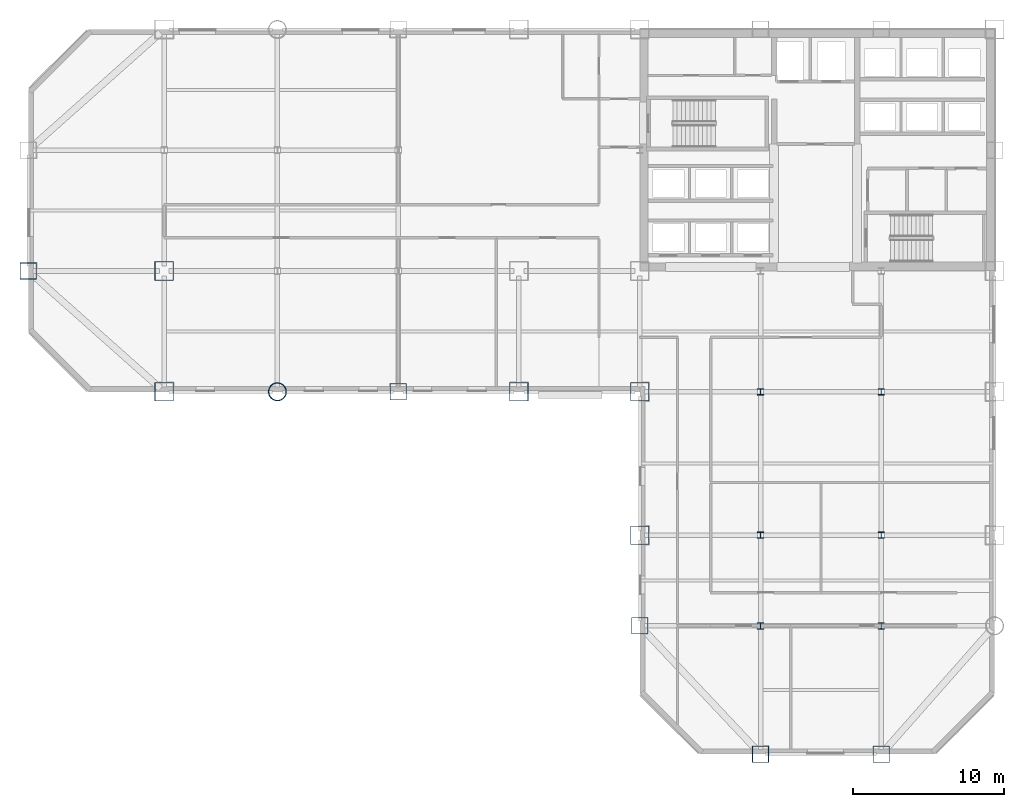
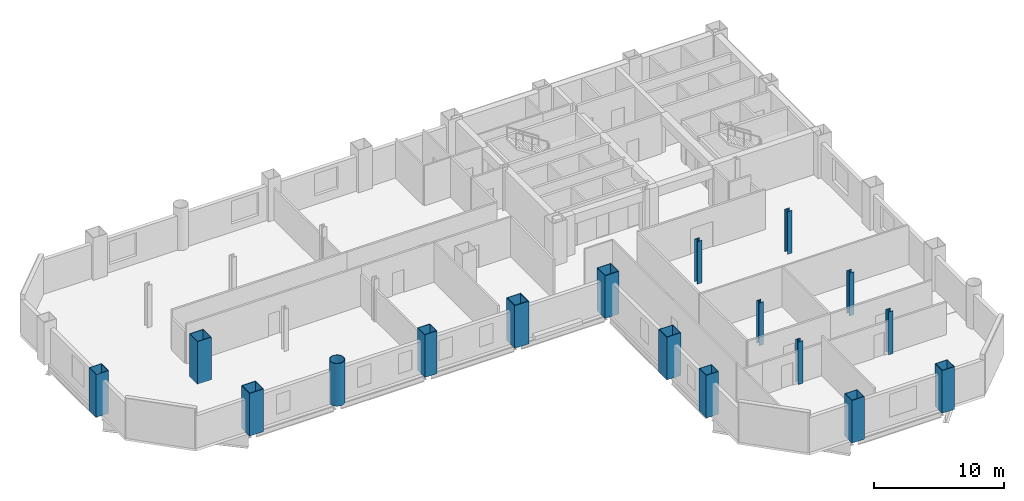
# One storey, part 1 of 9: 17 columns.
"""IFC4 building model written with IfcOpenShell, lengths in metres."""

from ifc_helpers import new_model, si_unit, direction, frame, origin, origin_2d, place, context, subcontext, project, spatial, hollow_rectangle, hollow_circle, i_section, extrude, material, material_profile, profile_set, type_object, element, save


model = new_model("IFC4")

# Units and contexts
model_context = context("Model", 3, precision=1e-05, world=origin(), true_north=direction((0.0, 1.0)))
body_context = subcontext(model_context, "Body", "Model", "MODEL_VIEW")
ifc_project = project(units=[si_unit("LENGTHUNIT", "METRE"), si_unit("AREAUNIT", "SQUARE_METRE"), si_unit("VOLUMEUNIT", "CUBIC_METRE"), si_unit("PLANEANGLEUNIT", "RADIAN"), si_unit("MASSUNIT", "GRAM", prefix="KILO")], contexts=[model_context])

# Site, building, storey
site_placement = place(None, origin())
site = spatial("IfcSite", under=ifc_project, at=site_placement, CompositionType="ELEMENT")
building_placement = place(site_placement, origin())
building = spatial("IfcBuilding", under=site, at=building_placement, Name="Qianrong Seaharbour Tower", CompositionType="ELEMENT")
storey_placement = place(building_placement, frame((0.0, 0.0, 60.199951171875)))
storey = spatial("IfcBuildingStorey", under=building, at=storey_placement, Name="L14", CompositionType="ELEMENT", Elevation=60.199951171875)

# Columns
ifc_material = material(Name="Structural steel SN490B", Category="steel")
ifc_material_profile_1 = material_profile(ifc_material, hollow_rectangle(XDim=1.25, YDim=1.25, WallThickness=0.044921875, at=origin_2d()), Name="BOX1250x1250x45")
ifc_profile_set_1 = profile_set([ifc_material_profile_1], Name="Structural steel SN490B")
column_type_1 = type_object("IfcColumnType", Name="COL-CFT-1250", PredefinedType="COLUMN", material=ifc_profile_set_1)
for number, where, z_axis, x_axis, name in (
    (1, (9.0, 28.0, 0.0), (0.0, 0.0, 1.0), (1.0, 0.0, 0.0), "L14 Column MC-2 at G2/GE"),
    (2, (9.0, 36.0, 0.0), (0.0, 0.0, 1.0), (1.0, 0.0, 0.0), "L14 Column MC-2 at G2/GF"),
    (3, (32.5, 28.0, 0.0), (0.0, 0.0, 1.0), (1.0, 0.0, 0.0), "L14 Column MC-2 at G5/GE"),
    (4, (40.5, 18.5, 0.0), (0.0, 0.0, 1.0), (1.0, 0.0, 0.0), "L14 Column MC-2 at G6/GD"),
    (5, (40.5, 28.0, 0.0), (0.0, 0.0, 1.0), (1.0, 0.0, 0.0), "L14 Column MC-2 at G6/GE"),
):
    element("IfcColumn", number, at=place(storey_placement, frame(where, z_axis=z_axis, x_axis=x_axis)), inside=storey, type_object=column_type_1, Name=name, PredefinedType="COLUMN", context=body_context, shape_type="SweptSolid", body=[
        extrude(hollow_rectangle(XDim=1.25, YDim=1.25, WallThickness=0.044921875, at=origin_2d()), origin(), (0.0, 0.0, 1.0), 4.0),
    ])
ifc_material_profile_2 = material_profile(ifc_material, hollow_circle(Radius=0.60009765625, WallThickness=0.0400390625, at=origin_2d()), Name="CHS1200x40")
ifc_profile_set_2 = profile_set([ifc_material_profile_2], Name="Structural steel SN490B")
column_type_2 = type_object("IfcColumnType", Name="COL-CHS-1200", PredefinedType="COLUMN", material=ifc_profile_set_2)
column_placement = place(storey_placement, frame((16.5, 28.0, 0.0), z_axis=(0.0, 0.0, 1.0), x_axis=(1.0, 0.0, 0.0)))
element("IfcColumn", 6, at=column_placement, inside=storey, type_object=column_type_2, Name="L14 Column CC-1 at G3/GE", PredefinedType="COLUMN", context=body_context, shape_type="SweptSolid", body=[
    extrude(hollow_circle(Radius=0.60009765625, WallThickness=0.0400390625, at=origin_2d()), origin(), (0.0, 0.0, 1.0), 4.0),
])
ifc_material_profile_3 = material_profile(ifc_material, i_section(OverallWidth=0.406982421875, OverallDepth=0.427978515625, WebThickness=0.02001953125, FlangeThickness=0.034912109375, FilletRadius=0.02197265625, at=origin_2d()), Name="H428x407x20x35")
ifc_profile_set_3 = profile_set([ifc_material_profile_3], Name="Structural steel SN490B")
column_type_3 = type_object("IfcColumnType", Name="COL-INT-H428", PredefinedType="COLUMN", material=ifc_profile_set_3)
for number, where, z_axis, x_axis, name in (
    (7, (48.5, 12.5, 0.0), (0.0, 0.0, 1.0), (1.0, 0.0, 0.0), "L14 Column IC-2 at G7/GC"),
    (8, (48.5, 18.5, 0.0), (0.0, 0.0, 1.0), (1.0, 0.0, 0.0), "L14 Column IC-2 at G7/GD"),
    (9, (48.5, 28.0, 0.0), (0.0, 0.0, 1.0), (1.0, 0.0, 0.0), "L14 Column IC-2 at G7/GE"),
    (10, (56.5, 12.5, 0.0), (0.0, 0.0, 1.0), (1.0, 0.0, 0.0), "L14 Column IC-2 at G8/GC"),
    (11, (56.5, 18.5, 0.0), (0.0, 0.0, 1.0), (1.0, 0.0, 0.0), "L14 Column IC-2 at G8/GD"),
    (12, (56.5, 28.0, 0.0), (0.0, 0.0, 1.0), (1.0, 0.0, 0.0), "L14 Column IC-2 at G8/GE"),
):
    element("IfcColumn", number, at=place(storey_placement, frame(where, z_axis=z_axis, x_axis=x_axis)), inside=storey, type_object=column_type_3, Name=name, PredefinedType="COLUMN", context=body_context, shape_type="SweptSolid", body=[
        extrude(i_section(OverallWidth=0.406982421875, OverallDepth=0.427978515625, WebThickness=0.02001953125, FlangeThickness=0.034912109375, FilletRadius=0.02197265625, at=origin_2d()), origin(), (0.0, 0.0, 1.0), 4.0),
    ])
ifc_material_profile_4 = material_profile(ifc_material, hollow_rectangle(XDim=1.10009765625, YDim=1.10009765625, WallThickness=0.0400390625, at=origin_2d()), Name="BOX1100x1100x40")
ifc_profile_set_4 = profile_set([ifc_material_profile_4], Name="Structural steel SN490B")
column_type_4 = type_object("IfcColumnType", Name="COL-PER-1100", PredefinedType="COLUMN", material=ifc_profile_set_4)
for number, where, z_axis, x_axis, name in (
    (13, (0.0, 36.0, 0.0), (0.0, 0.0, 1.0), (1.0, 0.0, 0.0), "L14 Column PC-1 at G1/GF"),
    (14, (24.5, 28.0, 0.0), (0.0, 0.0, 1.0), (1.0, 0.0, 0.0), "L14 Column PC-1 at G4/GE"),
    (15, (40.5, 12.5, 0.0), (0.0, 0.0, 1.0), (1.0, 0.0, 0.0), "L14 Column PC-1 at G6/GC"),
    (16, (48.5, 4.0, 0.0), (0.0, 0.0, 1.0), (1.0, 0.0, 0.0), "L14 Column PC-1 at G7/GB"),
    (17, (56.5, 4.0, 0.0), (0.0, 0.0, 1.0), (1.0, 0.0, 0.0), "L14 Column PC-1 at G8/GB"),
):
    element("IfcColumn", number, at=place(storey_placement, frame(where, z_axis=z_axis, x_axis=x_axis)), inside=storey, type_object=column_type_4, Name=name, PredefinedType="COLUMN", context=body_context, shape_type="SweptSolid", body=[
        extrude(hollow_rectangle(XDim=1.10009765625, YDim=1.10009765625, WallThickness=0.0400390625, at=origin_2d()), origin(), (0.0, 0.0, 1.0), 4.0),
    ])

save(model, "model.ifc")
